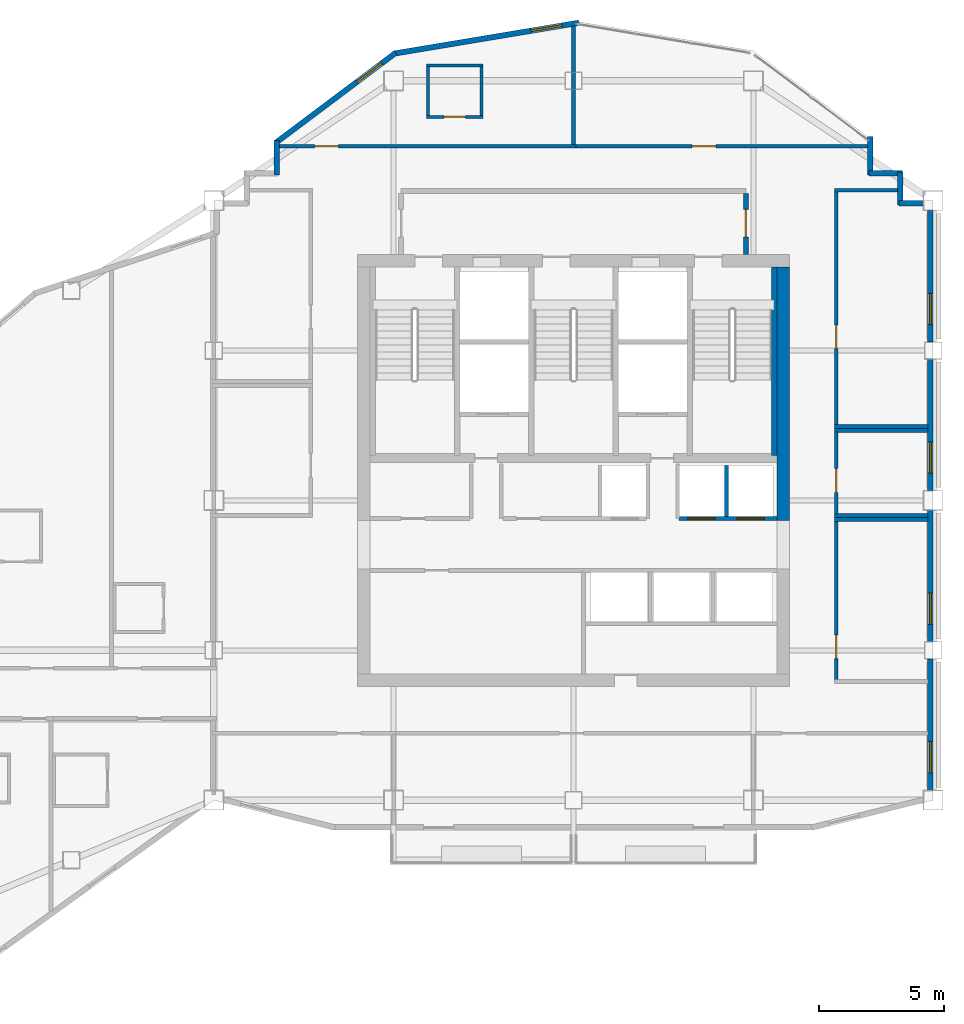
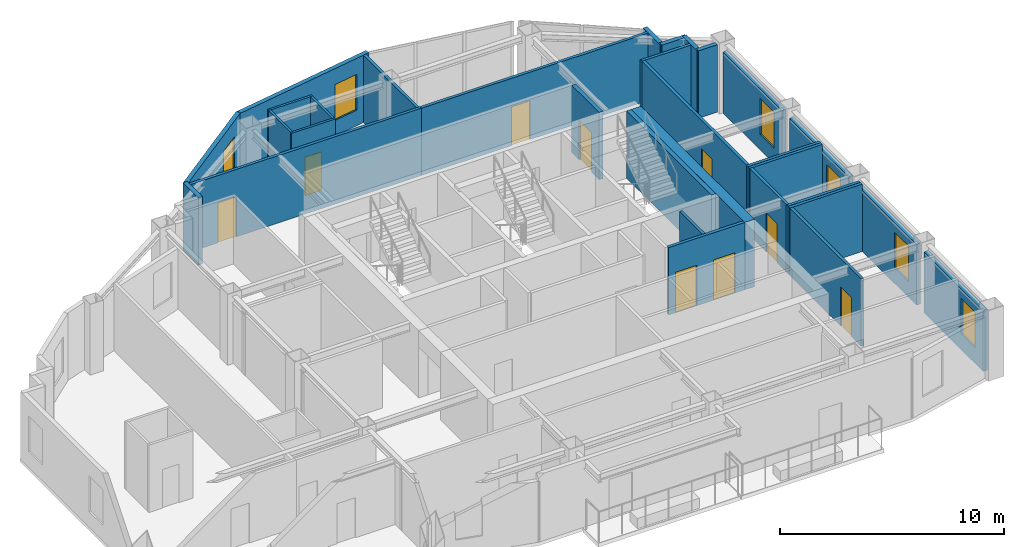
# One storey, part 7 of 9: 31 walls, 9 doors, 6 windows, 15 openings.
"""IFC4 building model written with IfcOpenShell, lengths in metres."""

from ifc_helpers import new_model, si_unit, direction, frame, frame_2d, origin, place, context, subcontext, project, spatial, rectangle, extrude, material, layer, layer_set, type_object, element, fill, save


model = new_model("IFC4")

# Units and contexts
model_context = context("Model", 3, precision=1e-05, world=origin(), true_north=direction((0.0, 1.0)))
body_context = subcontext(model_context, "Body", "Model", "MODEL_VIEW")
ifc_project = project(units=[si_unit("LENGTHUNIT", "METRE"), si_unit("AREAUNIT", "SQUARE_METRE"), si_unit("VOLUMEUNIT", "CUBIC_METRE"), si_unit("PLANEANGLEUNIT", "RADIAN"), si_unit("MASSUNIT", "GRAM", prefix="KILO")], contexts=[model_context])

# Site, building, storey
site_placement = place(None, origin())
site = spatial("IfcSite", under=ifc_project, at=site_placement, CompositionType="ELEMENT")
building_placement = place(site_placement, origin())
building = spatial("IfcBuilding", under=site, at=building_placement, Name="Haolan Belvedere Tower", CompositionType="ELEMENT")
storey_placement = place(building_placement, frame((0.0, 0.0, 239.050048828125)))
storey = spatial("IfcBuildingStorey", under=building, at=storey_placement, Name="L60", CompositionType="ELEMENT", Elevation=239.050048828125)

# Wall
ifc_material_1 = material(Name="Concrete C50/60", Category="concrete")
ifc_layer_1 = layer(ifc_material_1, 0.5, Name="Concrete C50/60")
ifc_layer_set_1 = layer_set([ifc_layer_1], Name="Concrete C50/60")
wall_type_1 = type_object("IfcWallType", Name="WL-CORE-500", PredefinedType="SHEAR", material=ifc_layer_set_1)
wall_1_placement = place(storey_placement, frame((46.800048828125, 32.800048828125, 0.0), z_axis=(0.0, 0.0, 1.0), x_axis=(0.0, 1.0, 0.0)))
element("IfcWall", 1, at=wall_1_placement, inside=storey, type_object=wall_type_1, Name="L60 central core shear wall EN", PredefinedType="SHEAR", context=body_context, shape_type="SweptSolid", body=[
    extrude(rectangle(XDim=10.14990234375, YDim=0.5, at=frame_2d((5.074951171875, 0.0))), origin(), (0.0, 0.0, 1.0), 3.669921875),
])

# Wall, opening, window
ifc_material_2 = material(Name="Precast concrete C40/50", Category="concrete")
ifc_layer_2 = layer(ifc_material_2, 0.219970703125, Name="Precast concrete C40/50")
ifc_layer_set_2 = layer_set([ifc_layer_2], Name="Precast concrete C40/50")
wall_type_2 = type_object("IfcWallType", Name="WL-EXT-220", PredefinedType="SOLIDWALL", material=ifc_layer_set_2)
wall_2_placement = place(storey_placement, frame((52.68994140625, 21.991943359375, 0.0), z_axis=(0.0, 0.0, 1.0), x_axis=(0.0, 1.0, 0.0)))
wall_2 = element("IfcWall", 2, at=wall_2_placement, inside=storey, type_object=wall_type_2, Name="L60 pale-metal exterior spandrel wall 3.1", PredefinedType="SOLIDWALL", context=body_context, shape_type="SweptSolid", body=[
    extrude(rectangle(XDim=5.26611328125, YDim=0.219970703125, at=frame_2d((2.633056640625, 0.0))), origin(), (0.0, 0.0, 1.0), 3.31494140625),
])
opening_1_placement = place(wall_2_placement, frame((0.699951171875, 0.0, 0.85009765625)))
opening_1 = element("IfcOpeningElement", 3, at=opening_1_placement, cuts=wall_2, Name="Opening W-04", PredefinedType="OPENING", context=body_context, shape_type="SweptSolid", body=[
    extrude(rectangle(XDim=1.25, YDim=1.949951171875, at=frame_2d((0.625, 0.97509765625))), frame((0.0, 0.119873046875, 0.0), z_axis=(0.0, -1.0, 0.0), x_axis=(1.0, 0.0, 0.0)), (0.0, 0.0, 1.0), 0.239990234375),
])
ifc_material_3 = material(Name="Anodised aluminium 6063-T6 and Low-E glass", Category="aluminium")
window_type = type_object("IfcWindowType", Name="WN-DECO-Z4", PartitioningType="SINGLE_PANEL", PredefinedType="WINDOW", material=ifc_material_3)
window_1_placement = place(opening_1_placement, origin())
window_1 = element("IfcWindow", 4, at=window_1_placement, inside=storey, type_object=window_type, Name="L60 Art Deco chevron window 1", OverallHeight=1.949951171875, OverallWidth=1.25, PartitioningType="SINGLE_PANEL", PredefinedType="WINDOW", context=body_context, shape_type="SweptSolid", body=[
    extrude(rectangle(XDim=1.25, YDim=1.949951171875, at=frame_2d((0.625, 0.97509765625))), frame((0.0, 0.030029296875, 0.0), z_axis=(0.0, -1.0, 0.0), x_axis=(1.0, 0.0, 0.0)), (0.0, 0.0, 1.0), 0.06005859375),
])
fill(opening_1, window_1)

wall_3_placement = place(storey_placement, frame((52.68994140625, 27.94189453125, 0.0), z_axis=(0.0, 0.0, 1.0), x_axis=(0.0, 1.0, 0.0)))
wall_3 = element("IfcWall", 5, at=wall_3_placement, inside=storey, type_object=wall_type_2, Name="L60 pale-metal exterior spandrel wall 3.2", PredefinedType="SOLIDWALL", context=body_context, shape_type="SweptSolid", body=[
    extrude(rectangle(XDim=5.26611328125, YDim=0.219970703125, at=frame_2d((2.633056640625, 0.0))), origin(), (0.0, 0.0, 1.0), 3.31494140625),
])
opening_2_placement = place(wall_3_placement, frame((0.699951171875, 0.0, 0.85009765625)))
opening_2 = element("IfcOpeningElement", 6, at=opening_2_placement, cuts=wall_3, Name="Opening W-04", PredefinedType="OPENING", context=body_context, shape_type="SweptSolid", body=[
    extrude(rectangle(XDim=1.25, YDim=1.949951171875, at=frame_2d((0.625, 0.97509765625))), frame((0.0, 0.119873046875, 0.0), z_axis=(0.0, -1.0, 0.0), x_axis=(1.0, 0.0, 0.0)), (0.0, 0.0, 1.0), 0.239990234375),
])
window_2_placement = place(opening_2_placement, origin())
window_2 = element("IfcWindow", 7, at=window_2_placement, inside=storey, type_object=window_type, Name="L60 Art Deco chevron window 1", OverallHeight=1.949951171875, OverallWidth=1.25, PartitioningType="SINGLE_PANEL", PredefinedType="WINDOW", context=body_context, shape_type="SweptSolid", body=[
    extrude(rectangle(XDim=1.25, YDim=1.949951171875, at=frame_2d((0.625, 0.97509765625))), frame((0.0, 0.030029296875, 0.0), z_axis=(0.0, -1.0, 0.0), x_axis=(1.0, 0.0, 0.0)), (0.0, 0.0, 1.0), 0.06005859375),
])
fill(opening_2, window_2)

wall_4_placement = place(storey_placement, frame((52.68994140625, 33.991943359375, 0.0), z_axis=(0.0, 0.0, 1.0), x_axis=(0.0, 1.0, 0.0)))
wall_4 = element("IfcWall", 8, at=wall_4_placement, inside=storey, type_object=wall_type_2, Name="L60 pale-metal exterior spandrel wall 3.3", PredefinedType="SOLIDWALL", context=body_context, shape_type="SweptSolid", body=[
    extrude(rectangle(XDim=5.26611328125, YDim=0.219970703125, at=frame_2d((2.633056640625, 0.0))), origin(), (0.0, 0.0, 1.0), 3.31494140625),
])
opening_3_placement = place(wall_4_placement, frame((0.699951171875, 0.0, 0.85009765625)))
opening_3 = element("IfcOpeningElement", 9, at=opening_3_placement, cuts=wall_4, Name="Opening W-04", PredefinedType="OPENING", context=body_context, shape_type="SweptSolid", body=[
    extrude(rectangle(XDim=1.25, YDim=1.949951171875, at=frame_2d((0.625, 0.97509765625))), frame((0.0, 0.119873046875, 0.0), z_axis=(0.0, -1.0, 0.0), x_axis=(1.0, 0.0, 0.0)), (0.0, 0.0, 1.0), 0.239990234375),
])
window_3_placement = place(opening_3_placement, origin())
window_3 = element("IfcWindow", 10, at=window_3_placement, inside=storey, type_object=window_type, Name="L60 Art Deco chevron window 1", OverallHeight=1.949951171875, OverallWidth=1.25, PartitioningType="SINGLE_PANEL", PredefinedType="WINDOW", context=body_context, shape_type="SweptSolid", body=[
    extrude(rectangle(XDim=1.25, YDim=1.949951171875, at=frame_2d((0.625, 0.97509765625))), frame((0.0, 0.030029296875, 0.0), z_axis=(0.0, -1.0, 0.0), x_axis=(1.0, 0.0, 0.0)), (0.0, 0.0, 1.0), 0.06005859375),
])
fill(opening_3, window_3)

wall_5_placement = place(storey_placement, frame((52.68994140625, 39.94189453125, 0.0), z_axis=(0.0, 0.0, 1.0), x_axis=(0.0, 1.0, 0.0)))
wall_5 = element("IfcWall", 11, at=wall_5_placement, inside=storey, type_object=wall_type_2, Name="L60 pale-metal exterior spandrel wall 3.4", PredefinedType="SOLIDWALL", context=body_context, shape_type="SweptSolid", body=[
    extrude(rectangle(XDim=5.26611328125, YDim=0.219970703125, at=frame_2d((2.633056640625, 0.0))), origin(), (0.0, 0.0, 1.0), 3.31494140625),
])
opening_4_placement = place(wall_5_placement, frame((0.699951171875, 0.0, 0.85009765625)))
opening_4 = element("IfcOpeningElement", 12, at=opening_4_placement, cuts=wall_5, Name="Opening W-04", PredefinedType="OPENING", context=body_context, shape_type="SweptSolid", body=[
    extrude(rectangle(XDim=1.25, YDim=1.949951171875, at=frame_2d((0.625, 0.97509765625))), frame((0.0, 0.119873046875, 0.0), z_axis=(0.0, -1.0, 0.0), x_axis=(1.0, 0.0, 0.0)), (0.0, 0.0, 1.0), 0.239990234375),
])
window_4_placement = place(opening_4_placement, origin())
window_4 = element("IfcWindow", 13, at=window_4_placement, inside=storey, type_object=window_type, Name="L60 Art Deco chevron window 1", OverallHeight=1.949951171875, OverallWidth=1.25, PartitioningType="SINGLE_PANEL", PredefinedType="WINDOW", context=body_context, shape_type="SweptSolid", body=[
    extrude(rectangle(XDim=1.25, YDim=1.949951171875, at=frame_2d((0.625, 0.97509765625))), frame((0.0, 0.030029296875, 0.0), z_axis=(0.0, -1.0, 0.0), x_axis=(1.0, 0.0, 0.0)), (0.0, 0.0, 1.0), 0.06005859375),
])
fill(opening_4, window_4)

# Walls
wall_6_placement = place(storey_placement, frame((52.407958984375, 45.489990234375, 0.0), z_axis=(0.0, 0.0, 1.0), x_axis=(-1.0, 0.0, 0.0)))
element("IfcWall", 14, at=wall_6_placement, inside=storey, type_object=wall_type_2, Name="L60 pale-metal exterior spandrel wall 4.1", PredefinedType="SOLIDWALL", context=body_context, shape_type="SweptSolid", body=[
    extrude(rectangle(XDim=0.972900390625, YDim=0.219970703125, at=frame_2d((0.486328125, 0.0))), origin(), (0.0, 0.0, 1.0), 3.669921875),
])
wall_7_placement = place(storey_placement, frame((51.489990234375, 45.43505859375, 0.0), z_axis=(0.0, 0.0, 1.0), x_axis=(0.0, 1.0, 0.0)))
element("IfcWall", 15, at=wall_7_placement, inside=storey, type_object=wall_type_2, Name="L60 pale-metal exterior spandrel wall 5.1", PredefinedType="SOLIDWALL", context=body_context, shape_type="SweptSolid", body=[
    extrude(rectangle(XDim=1.31005859375, YDim=0.219970703125, at=frame_2d((0.655029296875, 0.0))), origin(), (0.0, 0.0, 1.0), 3.669921875),
])
wall_8_placement = place(storey_placement, frame((51.544921875, 46.68994140625, 0.0), z_axis=(0.0, 0.0, 1.0), x_axis=(-1.0, 0.0, 0.0)))
element("IfcWall", 16, at=wall_8_placement, inside=storey, type_object=wall_type_2, Name="L60 pale-metal exterior spandrel wall 6.1", PredefinedType="SOLIDWALL", context=body_context, shape_type="SweptSolid", body=[
    extrude(rectangle(XDim=1.309814453125, YDim=0.219970703125, at=frame_2d((0.65478515625, 0.0))), origin(), (0.0, 0.0, 1.0), 3.669921875),
])
wall_9_placement = place(storey_placement, frame((50.2900390625, 46.635009765625, 0.0), z_axis=(0.0, 0.0, 1.0), x_axis=(0.0, 1.0, 0.0)))
element("IfcWall", 17, at=wall_9_placement, inside=storey, type_object=wall_type_2, Name="L60 pale-metal exterior spandrel wall 7.1", PredefinedType="SOLIDWALL", context=body_context, shape_type="SweptSolid", body=[
    extrude(rectangle(XDim=1.534912109375, YDim=0.219970703125, at=frame_2d((0.767578125, 0.0))), origin(), (0.0, 0.0, 1.0), 3.669921875),
])

# Wall, opening, window
wall_10_placement = place(storey_placement, frame((38.621826171875, 52.7255859375, 0.0), z_axis=(0.0, 0.0, 1.0), x_axis=(-0.986390420428, -0.164420006349, 0.0)))
wall_10 = element("IfcWall", 18, at=wall_10_placement, inside=storey, type_object=wall_type_2, Name="L60 pale-metal exterior spandrel wall 10.1", PredefinedType="SOLIDWALL", context=body_context, shape_type="SweptSolid", body=[
    extrude(rectangle(XDim=7.5341796875, YDim=0.219970703125, at=frame_2d((3.76708984375, 0.0))), origin(), (0.0, 0.0, 1.0), 3.669921875),
])
opening_5_placement = place(wall_10_placement, frame((0.699951171875, 0.0, 0.85009765625)))
opening_5 = element("IfcOpeningElement", 19, at=opening_5_placement, cuts=wall_10, Name="Opening W-04", PredefinedType="OPENING", context=body_context, shape_type="SweptSolid", body=[
    extrude(rectangle(XDim=1.25, YDim=1.949951171875, at=frame_2d((0.625, 0.97509765625))), frame((0.0, 0.119873046875, 0.0), z_axis=(0.0, -1.0, 0.0), x_axis=(1.0, 0.0, 0.0)), (0.0, 0.0, 1.0), 0.239990234375),
])
window_5_placement = place(opening_5_placement, origin())
window_5 = element("IfcWindow", 20, at=window_5_placement, inside=storey, type_object=window_type, Name="L60 Art Deco chevron window 1", OverallHeight=1.949951171875, OverallWidth=1.25, PartitioningType="SINGLE_PANEL", PredefinedType="WINDOW", context=body_context, shape_type="SweptSolid", body=[
    extrude(rectangle(XDim=1.25, YDim=1.949951171875, at=frame_2d((0.625, 0.97509765625))), frame((0.0, 0.030029296875, 0.0), z_axis=(0.0, -1.0, 0.0), x_axis=(1.0, 0.0, 0.0)), (0.0, 0.0, 1.0), 0.06005859375),
])
fill(opening_5, window_5)

wall_11_placement = place(storey_placement, frame((31.28857421875, 51.52880859375, 0.0), z_axis=(0.0, 0.0, 1.0), x_axis=(-0.800014580093, -0.599980559383, 0.0)))
wall_11 = element("IfcWall", 21, at=wall_11_placement, inside=storey, type_object=wall_type_2, Name="L60 pale-metal exterior spandrel wall 11.1", PredefinedType="SOLIDWALL", context=body_context, shape_type="SweptSolid", body=[
    extrude(rectangle(XDim=6.028076171875, YDim=0.219970703125, at=frame_2d((3.01416015625, 0.0))), origin(), (0.0, 0.0, 1.0), 3.669921875),
])
opening_6_placement = place(wall_11_placement, frame((0.699951171875, 0.0, 0.85009765625)))
opening_6 = element("IfcOpeningElement", 22, at=opening_6_placement, cuts=wall_11, Name="Opening W-04", PredefinedType="OPENING", context=body_context, shape_type="SweptSolid", body=[
    extrude(rectangle(XDim=1.25, YDim=1.949951171875, at=frame_2d((0.625, 0.97509765625))), frame((0.0, 0.119873046875, 0.0), z_axis=(0.0, -1.0, 0.0), x_axis=(1.0, 0.0, 0.0)), (0.0, 0.0, 1.0), 0.239990234375),
])
window_6_placement = place(opening_6_placement, origin())
window_6 = element("IfcWindow", 23, at=window_6_placement, inside=storey, type_object=window_type, Name="L60 Art Deco chevron window 1", OverallHeight=1.949951171875, OverallWidth=1.25, PartitioningType="SINGLE_PANEL", PredefinedType="WINDOW", context=body_context, shape_type="SweptSolid", body=[
    extrude(rectangle(XDim=1.25, YDim=1.949951171875, at=frame_2d((0.625, 0.97509765625))), frame((0.0, 0.030029296875, 0.0), z_axis=(0.0, -1.0, 0.0), x_axis=(1.0, 0.0, 0.0)), (0.0, 0.0, 1.0), 0.06005859375),
])
fill(opening_6, window_6)

# Wall
wall_12_placement = place(storey_placement, frame((26.510009765625, 48.0, 0.0), z_axis=(0.0, 0.0, 1.0), x_axis=(0.0, -1.0, 0.0)))
element("IfcWall", 24, at=wall_12_placement, inside=storey, type_object=wall_type_2, Name="L60 pale-metal exterior spandrel wall 12.1", PredefinedType="SOLIDWALL", context=body_context, shape_type="SweptSolid", body=[
    extrude(rectangle(XDim=1.364990234375, YDim=0.219970703125, at=frame_2d((0.6826171875, 0.0))), origin(), (0.0, 0.0, 1.0), 3.669921875),
])

# Wall, opening, door
ifc_material_4 = material(Name="Concrete C40/50", Category="concrete")
ifc_layer_3 = layer(ifc_material_4, 0.199951171875, Name="Concrete C40/50")
ifc_layer_set_3 = layer_set([ifc_layer_3], Name="Concrete C40/50")
wall_type_3 = type_object("IfcWallType", Name="WL-FIRE-200", PredefinedType="SOLIDWALL", material=ifc_layer_set_3)
wall_13_placement = place(storey_placement, frame((45.300048828125, 43.449951171875, 0.0), z_axis=(0.0, 0.0, 1.0), x_axis=(0.0, 1.0, 0.0)))
wall_13 = element("IfcWall", 25, at=wall_13_placement, inside=storey, type_object=wall_type_3, Name="L60 interior partition IW-L60-FFL-E", PredefinedType="SOLIDWALL", context=body_context, shape_type="SweptSolid", body=[
    extrude(rectangle(XDim=2.445068359375, YDim=0.199951171875, at=frame_2d((1.22265625, 0.0))), origin(), (0.0, 0.0, 1.0), 3.669921875),
])
opening_7_placement = place(wall_13_placement, frame((0.699951171875, 0.0, 0.0)))
opening_7 = element("IfcOpeningElement", 26, at=opening_7_placement, cuts=wall_13, Name="Opening FD-03", PredefinedType="OPENING", context=body_context, shape_type="SweptSolid", body=[
    extrude(rectangle(XDim=1.10009765625, YDim=2.14990234375, at=frame_2d((0.550048828125, 1.074951171875))), frame((0.0, 0.10986328125, 0.0), z_axis=(0.0, -1.0, 0.0), x_axis=(1.0, 0.0, 0.0)), (0.0, 0.0, 1.0), 0.219970703125),
])
ifc_material_5 = material(Name="Galvanised fire-rated steel", Category="steel")
door_type_1 = type_object("IfcDoorType", Name="DR-FD90-1100", OperationType="NOTDEFINED", PredefinedType="DOOR", material=ifc_material_5)
door_1_placement = place(opening_7_placement, origin())
door_1 = element("IfcDoor", 27, at=door_1_placement, inside=storey, type_object=door_type_1, Name="L60 door ID-L60-FFL-DE", OperationType="SINGLE_SWING_RIGHT", OverallHeight=2.14990234375, OverallWidth=1.10009765625, PredefinedType="DOOR", context=body_context, shape_type="SweptSolid", body=[
    extrude(rectangle(XDim=1.10009765625, YDim=2.14990234375, at=frame_2d((0.550048828125, 1.074951171875))), frame((0.0, 0.02490234375, 0.0), z_axis=(0.0, -1.0, 0.0), x_axis=(1.0, 0.0, 0.0)), (0.0, 0.0, 1.0), 0.050048828125),
])
fill(opening_7, door_1)

# Walls
ifc_material_6 = material(Name="Double gypsum acoustic stud partition", Category="masonry")
ifc_layer_4 = layer(ifc_material_6, 0.14990234375, Name="Double gypsum acoustic stud partition")
ifc_layer_set_4 = layer_set([ifc_layer_4], Name="Double gypsum acoustic stud partition")
wall_type_4 = type_object("IfcWallType", Name="WL-PART-150", PredefinedType="PARTITIONING", material=ifc_layer_set_4)
for number, where, z_axis, x_axis, name in (
    (28, (48.840087890625, 36.39990234375, 0.0), (0.0, 0.0, 1.0), (1.0, 0.0, 0.0), "L60 interior partition IW-L60-AWC-N"),
    (29, (48.840087890625, 33.0, 0.0), (0.0, 0.0, 1.0), (1.0, 0.0, 0.0), "L60 interior partition IW-L60-AWC-S"),
):
    element("IfcWall", number, at=place(storey_placement, frame(where, z_axis=z_axis, x_axis=x_axis)), inside=storey, type_object=wall_type_4, Name=name, PredefinedType="PARTITIONING", context=body_context, shape_type="SweptSolid", body=[
        extrude(rectangle(XDim=3.747802734375, YDim=0.14990234375, at=frame_2d((1.8740234375, 0.0))), origin(), (0.0, 0.0, 1.0), 3.669921875),
    ])

# Wall, opening, door
wall_14_placement = place(storey_placement, frame((48.919921875, 33.06005859375, 0.0), z_axis=(0.0, 0.0, 1.0), x_axis=(0.0, 1.0, 0.0)))
wall_14 = element("IfcWall", 30, at=wall_14_placement, inside=storey, type_object=wall_type_4, Name="L60 interior partition IW-L60-AWC-W", PredefinedType="PARTITIONING", context=body_context, shape_type="SweptSolid", body=[
    extrude(rectangle(XDim=3.280029296875, YDim=0.14990234375, at=frame_2d((1.64013671875, 0.0))), origin(), (0.0, 0.0, 1.0), 3.669921875),
])
opening_8_placement = place(wall_14_placement, frame((0.860107421875, 0.0, 0.0)))
opening_8 = element("IfcOpeningElement", 31, at=opening_8_placement, cuts=wall_14, Name="Opening ID-03", PredefinedType="OPENING", context=body_context, shape_type="SweptSolid", body=[
    extrude(rectangle(XDim=0.949951171875, YDim=2.1201171875, at=frame_2d((0.47509765625, 1.06005859375))), frame((0.0, 0.0849609375, 0.0), z_axis=(0.0, -1.0, 0.0), x_axis=(1.0, 0.0, 0.0)), (0.0, 0.0, 1.0), 0.169921875),
])
ifc_material_7 = material(Name="Painted solid-core timber", Category="wood")
door_type_2 = type_object("IfcDoorType", Name="DR-INT-950", OperationType="NOTDEFINED", PredefinedType="DOOR", material=ifc_material_7)
door_2_placement = place(opening_8_placement, origin())
door_2 = element("IfcDoor", 32, at=door_2_placement, inside=storey, type_object=door_type_2, Name="L60 door ID-L60-AWC", OperationType="SINGLE_SWING_RIGHT", OverallHeight=2.1201171875, OverallWidth=0.949951171875, PredefinedType="DOOR", context=body_context, shape_type="SweptSolid", body=[
    extrude(rectangle(XDim=0.949951171875, YDim=2.1201171875, at=frame_2d((0.47509765625, 1.06005859375))), frame((0.0, 0.02490234375, 0.0), z_axis=(0.0, -1.0, 0.0), x_axis=(1.0, 0.0, 0.0)), (0.0, 0.0, 1.0), 0.050048828125),
])
fill(opening_8, door_2)

# Walls
wall_15_placement = place(storey_placement, frame((48.840087890625, 46.02001953125, 0.0), z_axis=(0.0, 0.0, 1.0), x_axis=(1.0, 0.0, 0.0)))
element("IfcWall", 33, at=wall_15_placement, inside=storey, type_object=wall_type_4, Name="L60 interior partition IW-L60-SAL-N", PredefinedType="PARTITIONING", context=body_context, shape_type="SweptSolid", body=[
    extrude(rectangle(XDim=2.5478515625, YDim=0.14990234375, at=frame_2d((1.27392578125, 0.0))), origin(), (0.0, 0.0, 1.0), 3.669921875),
])
wall_16_placement = place(storey_placement, frame((48.840087890625, 36.56005859375, 0.0), z_axis=(0.0, 0.0, 1.0), x_axis=(1.0, 0.0, 0.0)))
element("IfcWall", 34, at=wall_16_placement, inside=storey, type_object=wall_type_4, Name="L60 interior partition IW-L60-SAL-S", PredefinedType="PARTITIONING", context=body_context, shape_type="SweptSolid", body=[
    extrude(rectangle(XDim=3.747802734375, YDim=0.14990234375, at=frame_2d((1.8740234375, 0.0))), origin(), (0.0, 0.0, 1.0), 3.669921875),
])

# Wall, opening, door
wall_17_placement = place(storey_placement, frame((48.919921875, 36.6201171875, 0.0), z_axis=(0.0, 0.0, 1.0), x_axis=(0.0, 1.0, 0.0)))
wall_17 = element("IfcWall", 35, at=wall_17_placement, inside=storey, type_object=wall_type_4, Name="L60 interior partition IW-L60-SAL-W", PredefinedType="PARTITIONING", context=body_context, shape_type="SweptSolid", body=[
    extrude(rectangle(XDim=9.33984375, YDim=0.14990234375, at=frame_2d((4.669921875, 0.0))), origin(), (0.0, 0.0, 1.0), 3.669921875),
])
opening_9_placement = place(wall_17_placement, frame((3.06005859375, 0.0, 0.0)))
opening_9 = element("IfcOpeningElement", 36, at=opening_9_placement, cuts=wall_17, Name="Opening ID-03", PredefinedType="OPENING", context=body_context, shape_type="SweptSolid", body=[
    extrude(rectangle(XDim=0.949951171875, YDim=2.1201171875, at=frame_2d((0.47509765625, 1.06005859375))), frame((0.0, 0.0849609375, 0.0), z_axis=(0.0, -1.0, 0.0), x_axis=(1.0, 0.0, 0.0)), (0.0, 0.0, 1.0), 0.169921875),
])
door_3_placement = place(opening_9_placement, origin())
door_3 = element("IfcDoor", 37, at=door_3_placement, inside=storey, type_object=door_type_2, Name="L60 door ID-L60-SAL", OperationType="SINGLE_SWING_LEFT", OverallHeight=2.1201171875, OverallWidth=0.949951171875, PredefinedType="DOOR", context=body_context, shape_type="SweptSolid", body=[
    extrude(rectangle(XDim=0.949951171875, YDim=2.1201171875, at=frame_2d((0.47509765625, 1.06005859375))), frame((0.0, 0.02490234375, 0.0), z_axis=(0.0, -1.0, 0.0), x_axis=(1.0, 0.0, 0.0)), (0.0, 0.0, 1.0), 0.050048828125),
])
fill(opening_9, door_3)

# Wall
wall_18_placement = place(storey_placement, frame((48.840087890625, 32.840087890625, 0.0), z_axis=(0.0, 0.0, 1.0), x_axis=(1.0, 0.0, 0.0)))
element("IfcWall", 38, at=wall_18_placement, inside=storey, type_object=wall_type_4, Name="L60 interior partition IW-L60-PKTE-N", PredefinedType="PARTITIONING", context=body_context, shape_type="SweptSolid", body=[
    extrude(rectangle(XDim=3.747802734375, YDim=0.14990234375, at=frame_2d((1.8740234375, 0.0))), origin(), (0.0, 0.0, 1.0), 3.669921875),
])

# Wall, opening, door
wall_19_placement = place(storey_placement, frame((48.919921875, 26.409912109375, 0.0), z_axis=(0.0, 0.0, 1.0), x_axis=(0.0, 1.0, 0.0)))
wall_19 = element("IfcWall", 39, at=wall_19_placement, inside=storey, type_object=wall_type_4, Name="L60 interior partition IW-L60-PKTE-W", PredefinedType="PARTITIONING", context=body_context, shape_type="SweptSolid", body=[
    extrude(rectangle(XDim=6.3701171875, YDim=0.14990234375, at=frame_2d((3.18505859375, 0.0))), origin(), (0.0, 0.0, 1.0), 3.669921875),
])
opening_10_placement = place(wall_19_placement, frame((0.860107421875, 0.0, 0.0)))
opening_10 = element("IfcOpeningElement", 40, at=opening_10_placement, cuts=wall_19, Name="Opening ID-03", PredefinedType="OPENING", context=body_context, shape_type="SweptSolid", body=[
    extrude(rectangle(XDim=0.949951171875, YDim=2.1201171875, at=frame_2d((0.47509765625, 1.06005859375))), frame((0.0, 0.0849609375, 0.0), z_axis=(0.0, -1.0, 0.0), x_axis=(1.0, 0.0, 0.0)), (0.0, 0.0, 1.0), 0.169921875),
])
door_4_placement = place(opening_10_placement, origin())
door_4 = element("IfcDoor", 41, at=door_4_placement, inside=storey, type_object=door_type_2, Name="L60 door ID-L60-PKTE", OperationType="SINGLE_SWING_RIGHT", OverallHeight=2.1201171875, OverallWidth=0.949951171875, PredefinedType="DOOR", context=body_context, shape_type="SweptSolid", body=[
    extrude(rectangle(XDim=0.949951171875, YDim=2.1201171875, at=frame_2d((0.47509765625, 1.06005859375))), frame((0.0, 0.02490234375, 0.0), z_axis=(0.0, -1.0, 0.0), x_axis=(1.0, 0.0, 0.0)), (0.0, 0.0, 1.0), 0.050048828125),
])
fill(opening_10, door_4)

wall_20_placement = place(storey_placement, frame((26.612060546875, 47.780029296875, 0.0), z_axis=(0.0, 0.0, 1.0), x_axis=(1.0, 0.0, 0.0)))
wall_20 = element("IfcWall", 42, at=wall_20_placement, inside=storey, type_object=wall_type_4, Name="L60 interior partition IW-L60-KN1-S", PredefinedType="PARTITIONING", context=body_context, shape_type="SweptSolid", body=[
    extrude(rectangle(XDim=11.887939453125, YDim=0.14990234375, at=frame_2d((5.94384765625, 0.0))), origin(), (0.0, 0.0, 1.0), 3.669921875),
])
opening_11_placement = place(wall_20_placement, frame((1.419921875, 0.0, 0.0)))
opening_11 = element("IfcOpeningElement", 43, at=opening_11_placement, cuts=wall_20, Name="Opening ID-01", PredefinedType="OPENING", context=body_context, shape_type="SweptSolid", body=[
    extrude(rectangle(XDim=0.949951171875, YDim=2.179931640625, at=frame_2d((0.47509765625, 1.08984375))), frame((0.0, 0.0849609375, 0.0), z_axis=(0.0, -1.0, 0.0), x_axis=(1.0, 0.0, 0.0)), (0.0, 0.0, 1.0), 0.169921875),
])
ifc_material_8 = material(Name="Acoustic walnut veneer fire-rated timber", Category="wood")
door_type_3 = type_object("IfcDoorType", Name="DR-SUITE-950", OperationType="NOTDEFINED", PredefinedType="DOOR", material=ifc_material_8)
door_5_placement = place(opening_11_placement, origin())
door_5 = element("IfcDoor", 44, at=door_5_placement, inside=storey, type_object=door_type_3, Name="L60 door ID-L60-KN1-ENT", OperationType="SINGLE_SWING_LEFT", OverallHeight=2.179931640625, OverallWidth=0.949951171875, PredefinedType="DOOR", context=body_context, shape_type="SweptSolid", body=[
    extrude(rectangle(XDim=0.949951171875, YDim=2.179931640625, at=frame_2d((0.47509765625, 1.08984375))), frame((0.0, 0.02490234375, 0.0), z_axis=(0.0, -1.0, 0.0), x_axis=(1.0, 0.0, 0.0)), (0.0, 0.0, 1.0), 0.050048828125),
])
fill(opening_11, door_5)

# Wall
wall_21_placement = place(storey_placement, frame((38.39990234375, 47.840087890625, 0.0), z_axis=(0.0, 0.0, 1.0), x_axis=(0.0, 1.0, 0.0)))
element("IfcWall", 45, at=wall_21_placement, inside=storey, type_object=wall_type_4, Name="L60 interior partition IW-L60-KN1-E", PredefinedType="PARTITIONING", context=body_context, shape_type="SweptSolid", body=[
    extrude(rectangle(XDim=4.7451171875, YDim=0.14990234375, at=frame_2d((2.37255859375, 0.0))), origin(), (0.0, 0.0, 1.0), 3.669921875),
])

# Wall, opening, door
wall_22_placement = place(storey_placement, frame((38.501953125, 47.780029296875, 0.0), z_axis=(0.0, 0.0, 1.0), x_axis=(1.0, 0.0, 0.0)))
wall_22 = element("IfcWall", 46, at=wall_22_placement, inside=storey, type_object=wall_type_4, Name="L60 interior partition IW-L60-KN2-S", PredefinedType="PARTITIONING", context=body_context, shape_type="SweptSolid", body=[
    extrude(rectangle(XDim=11.68603515625, YDim=0.14990234375, at=frame_2d((5.843017578125, 0.0))), origin(), (0.0, 0.0, 1.0), 3.669921875),
])
opening_12_placement = place(wall_22_placement, frame((4.64794921875, 0.0, 0.0)))
opening_12 = element("IfcOpeningElement", 47, at=opening_12_placement, cuts=wall_22, Name="Opening ID-03", PredefinedType="OPENING", context=body_context, shape_type="SweptSolid", body=[
    extrude(rectangle(XDim=0.949951171875, YDim=2.1201171875, at=frame_2d((0.47509765625, 1.06005859375))), frame((0.0, 0.0849609375, 0.0), z_axis=(0.0, -1.0, 0.0), x_axis=(1.0, 0.0, 0.0)), (0.0, 0.0, 1.0), 0.169921875),
])
door_6_placement = place(opening_12_placement, origin())
door_6 = element("IfcDoor", 48, at=door_6_placement, inside=storey, type_object=door_type_2, Name="L60 door ID-L60-KN2", OperationType="SINGLE_SWING_RIGHT", OverallHeight=2.1201171875, OverallWidth=0.949951171875, PredefinedType="DOOR", context=body_context, shape_type="SweptSolid", body=[
    extrude(rectangle(XDim=0.949951171875, YDim=2.1201171875, at=frame_2d((0.47509765625, 1.06005859375))), frame((0.0, 0.02490234375, 0.0), z_axis=(0.0, -1.0, 0.0), x_axis=(1.0, 0.0, 0.0)), (0.0, 0.0, 1.0), 0.050048828125),
])
fill(opening_12, door_6)

# Wall, openings, doors
ifc_material_9 = material(Name="Gypsum fire shaftwall assembly", Category="masonry")
ifc_layer_5 = layer(ifc_material_9, 0.1650390625, Name="Gypsum fire shaftwall assembly")
ifc_layer_set_5 = layer_set([ifc_layer_5], Name="Gypsum fire shaftwall assembly")
wall_type_5 = type_object("IfcWallType", Name="WL-SHAFT-160", PredefinedType="SOLIDWALL", material=ifc_layer_set_5)
wall_23_placement = place(storey_placement, frame((42.6298828125, 32.8798828125, 0.0), z_axis=(0.0, 0.0, 1.0), x_axis=(1.0, 0.0, 0.0)))
wall_23 = element("IfcWall", 49, at=wall_23_placement, inside=storey, type_object=wall_type_5, Name="L60 interior partition IW-L60-ROW-PN3", PredefinedType="SOLIDWALL", context=body_context, shape_type="SweptSolid", body=[
    extrude(rectangle(XDim=3.920166015625, YDim=0.159912109375, at=frame_2d((1.9599609375, 0.0))), origin(), (0.0, 0.0, 1.0), 3.669921875),
])
opening_13_placement = place(wall_23_placement, frame((1.4501953125, 0.0, 0.0), z_axis=(0.0, 0.0, 1.0), x_axis=(-1.0, 0.0, 0.0)))
opening_13 = element("IfcOpeningElement", 50, at=opening_13_placement, cuts=wall_23, Name="Opening LD-01", PredefinedType="OPENING", context=body_context, shape_type="SweptSolid", body=[
    extrude(rectangle(XDim=1.10009765625, YDim=2.199951171875, at=frame_2d((0.550048828125, 1.10009765625))), frame((0.0, 0.08984375, 0.0), z_axis=(0.0, -1.0, 0.0), x_axis=(1.0, 0.0, 0.0)), (0.0, 0.0, 1.0), 0.179931640625),
])
opening_14_placement = place(wall_23_placement, frame((3.41015625, 0.0, 0.0), z_axis=(0.0, 0.0, 1.0), x_axis=(-1.0, 0.0, 0.0)))
opening_14 = element("IfcOpeningElement", 51, at=opening_14_placement, cuts=wall_23, Name="Opening LD-01", PredefinedType="OPENING", context=body_context, shape_type="SweptSolid", body=[
    extrude(rectangle(XDim=1.10009765625, YDim=2.199951171875, at=frame_2d((0.550048828125, 1.10009765625))), frame((0.0, 0.08984375, 0.0), z_axis=(0.0, -1.0, 0.0), x_axis=(1.0, 0.0, 0.0)), (0.0, 0.0, 1.0), 0.179931640625),
])
ifc_material_10 = material(Name="Brushed champagne stainless steel 316L", Category="steel")
door_type_4 = type_object("IfcDoorType", Name="DR-LIFT-1100", OperationType="SLIDING_TO_LEFT", PredefinedType="DOOR", material=ifc_material_10)
door_7_placement = place(opening_13_placement, origin())
door_7 = element("IfcDoor", 52, at=door_7_placement, inside=storey, type_object=door_type_4, Name="L60 door ID-L60-LD-PH2", OperationType="SLIDING_TO_RIGHT", OverallHeight=2.199951171875, OverallWidth=1.10009765625, PredefinedType="DOOR", context=body_context, shape_type="SweptSolid", body=[
    extrude(rectangle(XDim=1.10009765625, YDim=2.199951171875, at=frame_2d((0.550048828125, 1.10009765625))), frame((0.0, 0.02490234375, 0.0), z_axis=(0.0, -1.0, 0.0), x_axis=(1.0, 0.0, 0.0)), (0.0, 0.0, 1.0), 0.050048828125),
])
fill(opening_13, door_7)
door_8_placement = place(opening_14_placement, origin())
door_8 = element("IfcDoor", 53, at=door_8_placement, inside=storey, type_object=door_type_4, Name="L60 door ID-L60-LD-PH3", OperationType="SLIDING_TO_RIGHT", OverallHeight=2.199951171875, OverallWidth=1.10009765625, PredefinedType="DOOR", context=body_context, shape_type="SweptSolid", body=[
    extrude(rectangle(XDim=1.10009765625, YDim=2.199951171875, at=frame_2d((0.550048828125, 1.10009765625))), frame((0.0, 0.02490234375, 0.0), z_axis=(0.0, -1.0, 0.0), x_axis=(1.0, 0.0, 0.0)), (0.0, 0.0, 1.0), 0.050048828125),
])
fill(opening_14, door_8)

# Walls
wall_24_placement = place(storey_placement, frame((44.530029296875, 32.949951171875, 0.0), z_axis=(0.0, 0.0, 1.0), x_axis=(0.0, 1.0, 0.0)))
element("IfcWall", 54, at=wall_24_placement, inside=storey, type_object=wall_type_5, Name="L60 interior partition IW-L60-DIV-PH2", PredefinedType="SOLIDWALL", context=body_context, shape_type="SweptSolid", body=[
    extrude(rectangle(XDim=2.050048828125, YDim=0.14990234375, at=frame_2d((1.02490234375, 0.0))), origin(), (0.0, 0.0, 1.0), 3.669921875),
])
ifc_layer_6 = layer(ifc_material_1, 0.219970703125, Name="Concrete C50/60")
ifc_layer_set_6 = layer_set([ifc_layer_6], Name="Concrete C50/60")
wall_type_6 = type_object("IfcWallType", Name="WL-STAIR-220", PredefinedType="SHEAR", material=ifc_layer_set_6)
wall_25_placement = place(storey_placement, frame((46.43798828125, 35.389892578125, 0.0), z_axis=(0.0, 0.0, 1.0), x_axis=(0.0, 1.0, 0.0)))
element("IfcWall", 55, at=wall_25_placement, inside=storey, type_object=wall_type_6, Name="L60 structural stair core wall ST2E", PredefinedType="SHEAR", context=body_context, shape_type="SweptSolid", body=[
    extrude(rectangle(XDim=7.56005859375, YDim=0.219970703125, at=frame_2d((3.780029296875, 0.0))), origin(), (0.0, 0.0, 1.0), 3.669921875),
])
ifc_material_11 = material(Name="Moisture-resistant gypsum tile partition", Category="masonry")
ifc_layer_7 = layer(ifc_material_11, 0.1201171875, Name="Moisture-resistant gypsum tile partition")
ifc_layer_set_7 = layer_set([ifc_layer_7], Name="Moisture-resistant gypsum tile partition")
wall_type_7 = type_object("IfcWallType", Name="WL-WET-120", PredefinedType="PARTITIONING", material=ifc_layer_set_7)
wall_26_placement = place(storey_placement, frame((32.510986328125, 51.010009765625, 0.0), z_axis=(0.0, 0.0, 1.0), x_axis=(1.0, 0.0, 0.0)))
element("IfcWall", 56, at=wall_26_placement, inside=storey, type_object=wall_type_7, Name="L60 interior partition IW-L60-KN1-BN", PredefinedType="PARTITIONING", context=body_context, shape_type="SweptSolid", body=[
    extrude(rectangle(XDim=2.27001953125, YDim=0.1201171875, at=frame_2d((1.135009765625, 0.0))), origin(), (0.0, 0.0, 1.0), 3.669921875),
])

# Wall, opening, door
wall_27_placement = place(storey_placement, frame((32.510986328125, 48.9599609375, 0.0), z_axis=(0.0, 0.0, 1.0), x_axis=(1.0, 0.0, 0.0)))
wall_27 = element("IfcWall", 57, at=wall_27_placement, inside=storey, type_object=wall_type_7, Name="L60 interior partition IW-L60-KN1-BS", PredefinedType="PARTITIONING", context=body_context, shape_type="SweptSolid", body=[
    extrude(rectangle(XDim=2.27001953125, YDim=0.1201171875, at=frame_2d((1.135009765625, 0.0))), origin(), (0.0, 0.0, 1.0), 3.669921875),
])
opening_15_placement = place(wall_27_placement, frame((0.7099609375, 0.0, 0.0)))
opening_15 = element("IfcOpeningElement", 58, at=opening_15_placement, cuts=wall_27, Name="Opening ID-05", PredefinedType="OPENING", context=body_context, shape_type="SweptSolid", body=[
    extrude(rectangle(XDim=0.85009765625, YDim=2.10009765625, at=frame_2d((0.425048828125, 1.050048828125))), frame((0.0, 0.070068359375, 0.0), z_axis=(0.0, -1.0, 0.0), x_axis=(1.0, 0.0, 0.0)), (0.0, 0.0, 1.0), 0.14013671875),
])
ifc_material_12 = material(Name="Moisture-resistant lacquered timber", Category="wood")
door_type_5 = type_object("IfcDoorType", Name="DR-BATH-850", OperationType="NOTDEFINED", PredefinedType="DOOR", material=ifc_material_12)
door_9_placement = place(opening_15_placement, origin())
door_9 = element("IfcDoor", 59, at=door_9_placement, inside=storey, type_object=door_type_5, Name="L60 door ID-L60-KN1-BATH", OperationType="SINGLE_SWING_RIGHT", OverallHeight=2.10009765625, OverallWidth=0.85009765625, PredefinedType="DOOR", context=body_context, shape_type="SweptSolid", body=[
    extrude(rectangle(XDim=0.85009765625, YDim=2.10009765625, at=frame_2d((0.425048828125, 1.050048828125))), frame((0.0, 0.02490234375, 0.0), z_axis=(0.0, -1.0, 0.0), x_axis=(1.0, 0.0, 0.0)), (0.0, 0.0, 1.0), 0.050048828125),
])
fill(opening_15, door_9)

# Walls
for number, where, z_axis, x_axis, name in (
    (60, (32.571044921875, 49.0048828125, 0.0), (0.0, 0.0, 1.0), (0.0, 1.0, 0.0), "L60 interior partition IW-L60-KN1-BW"),
    (61, (34.720947265625, 49.0048828125, 0.0), (0.0, 0.0, 1.0), (0.0, 1.0, 0.0), "L60 interior partition IW-L60-KN1-BE"),
):
    element("IfcWall", number, at=place(storey_placement, frame(where, z_axis=z_axis, x_axis=x_axis)), inside=storey, type_object=wall_type_7, Name=name, PredefinedType="PARTITIONING", context=body_context, shape_type="SweptSolid", body=[
        extrude(rectangle(XDim=1.960205078125, YDim=0.1201171875, at=frame_2d((0.97998046875, 0.0))), origin(), (0.0, 0.0, 1.0), 3.669921875),
    ])

save(model, "model.ifc")
